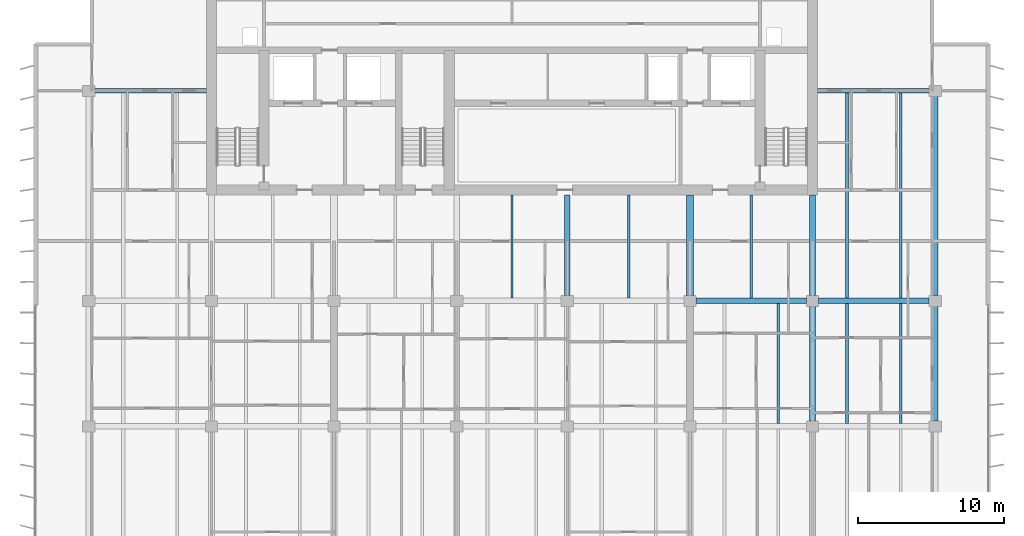
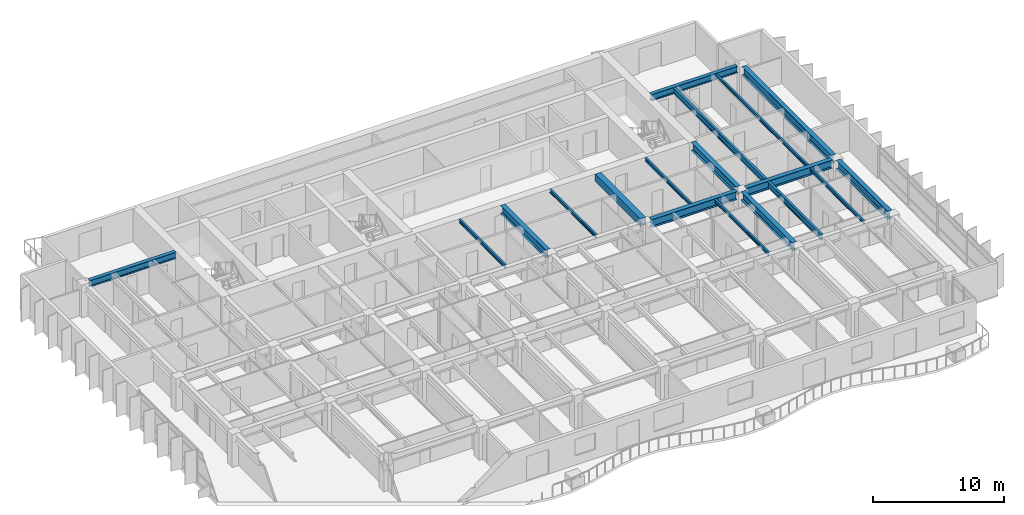
# One storey, part 5 of 19: 18 beams.
"""IFC4 building model written with IfcOpenShell, lengths in metres."""

from ifc_helpers import new_model, si_unit, direction, frame, origin, origin_2d, place, context, subcontext, project, spatial, rectangle, i_section, extrude, material, material_profile, profile_set, type_object, element, save


model = new_model("IFC4")

# Units and contexts
model_context = context("Model", 3, precision=1e-05, world=origin(), true_north=direction((0.0, 1.0)))
body_context = subcontext(model_context, "Body", "Model", "MODEL_VIEW")
ifc_project = project(units=[si_unit("LENGTHUNIT", "METRE"), si_unit("AREAUNIT", "SQUARE_METRE"), si_unit("VOLUMEUNIT", "CUBIC_METRE"), si_unit("PLANEANGLEUNIT", "RADIAN"), si_unit("MASSUNIT", "GRAM", prefix="KILO")], contexts=[model_context])

# Site, building, storey
site_placement = place(None, origin())
site = spatial("IfcSite", under=ifc_project, at=site_placement, CompositionType="ELEMENT")
building_placement = place(site_placement, origin())
building = spatial("IfcBuilding", under=site, at=building_placement, Name="Caelmar Bay Residences", CompositionType="ELEMENT")
storey_placement = place(building_placement, frame((0.0, 0.0, 195.0)))
storey = spatial("IfcBuildingStorey", under=building, at=storey_placement, Name="L54", CompositionType="ELEMENT", Elevation=195.0)

# Beams
ifc_material_1 = material(Name="Steel ASTM A992 Grade 50", Category="steel")
ifc_material_profile_1 = material_profile(ifc_material_1, i_section(OverallWidth=0.381103515625, OverallDepth=0.77197265625, WebThickness=0.0166015625, FlangeThickness=0.027099609375, FilletRadius=0.0166015625, at=origin_2d()), Name="W30X173")
ifc_profile_set_1 = profile_set([ifc_material_profile_1], Name="Steel ASTM A992 Grade 50")
beam_type_1 = type_object("IfcBeamType", Name="BM-GRD-W30X173", PredefinedType="BEAM", material=ifc_profile_set_1)
for number, where, z_axis, x_axis, name in (
    (1, (51.514892578125, 29.39990234375, 2.6640625), (1.0, 0.0, 0.0), (0.0, 1.0, 0.0), "L54 East-West Girder Y=29.40 (51.1-59.5)"),
    (2, (59.9150390625, 29.39990234375, 2.6640625), (1.0, 0.0, 0.0), (0.0, 1.0, 0.0), "L54 East-West Girder Y=29.40 (59.5-67.9)"),
):
    element("IfcBeam", number, at=place(storey_placement, frame(where, z_axis=z_axis, x_axis=x_axis)), inside=storey, type_object=beam_type_1, Name=name, PredefinedType="BEAM", context=body_context, shape_type="SweptSolid", body=[
        extrude(i_section(OverallWidth=0.381103515625, OverallDepth=0.77197265625, WebThickness=0.0166015625, FlangeThickness=0.027099609375, FilletRadius=0.0166015625, at=origin_2d()), origin(), (0.0, 0.0, 1.0), 7.570068359375),
    ])
for number, where, z_axis, x_axis, name in (
    (3, (42.699951171875, 29.764892578125, 2.6640625), (0.0, 1.0, 0.0), (-1.0, 0.0, 0.0), "L54 Core Tie Girder X=42.70"),
    (4, (59.5, 29.764892578125, 2.6640625), (0.0, 1.0, 0.0), (-1.0, 0.0, 0.0), "L54 Core Tie Girder X=59.50"),
):
    element("IfcBeam", number, at=place(storey_placement, frame(where, z_axis=z_axis, x_axis=x_axis)), inside=storey, type_object=beam_type_1, Name=name, PredefinedType="BEAM", context=body_context, shape_type="SweptSolid", body=[
        extrude(i_section(OverallWidth=0.381103515625, OverallDepth=0.77197265625, WebThickness=0.0166015625, FlangeThickness=0.027099609375, FilletRadius=0.0166015625, at=origin_2d()), origin(), (0.0, 0.0, 1.0), 6.885009765625),
    ])
for number, where, z_axis, x_axis, name in (
    (5, (59.5, 21.1650390625, 2.6640625), (0.0, 1.0, 0.0), (-1.0, 0.0, 0.0), "L54 North-South Girder X=59.50 (20.8-29.4)"),
    (6, (67.89990234375, 21.1650390625, 2.6640625), (0.0, 1.0, 0.0), (-1.0, 0.0, 0.0), "L54 North-South Girder X=67.90 (20.8-29.4)"),
):
    element("IfcBeam", number, at=place(storey_placement, frame(where, z_axis=z_axis, x_axis=x_axis)), inside=storey, type_object=beam_type_1, Name=name, PredefinedType="BEAM", context=body_context, shape_type="SweptSolid", body=[
        extrude(i_section(OverallWidth=0.381103515625, OverallDepth=0.77197265625, WebThickness=0.0166015625, FlangeThickness=0.027099609375, FilletRadius=0.0166015625, at=origin_2d()), origin(), (0.0, 0.0, 1.0), 7.869873046875),
    ])
beam_1_placement = place(storey_placement, frame((67.89990234375, 29.764892578125, 2.6640625), z_axis=(0.0, 1.0, 0.0), x_axis=(-1.0, 0.0, 0.0)))
element("IfcBeam", 7, at=beam_1_placement, inside=storey, type_object=beam_type_1, Name="L54 North-South Girder X=67.90 (29.4-43.8)", PredefinedType="BEAM", context=body_context, shape_type="SweptSolid", body=[
    extrude(i_section(OverallWidth=0.381103515625, OverallDepth=0.77197265625, WebThickness=0.0166015625, FlangeThickness=0.027099609375, FilletRadius=0.0166015625, at=origin_2d()), origin(), (0.0, 0.0, 1.0), 13.670166015625),
])
ifc_material_profile_2 = material_profile(ifc_material_1, i_section(OverallWidth=0.1650390625, OverallDepth=0.31005859375, WebThickness=0.005859375, FlangeThickness=0.009765625, FilletRadius=0.007568359375, at=origin_2d()), Name="W12X26")
ifc_profile_set_2 = profile_set([ifc_material_profile_2], Name="Steel ASTM A992 Grade 50")
beam_type_2 = type_object("IfcBeamType", Name="BM-JST-W12X26", PredefinedType="JOIST", material=ifc_profile_set_2)
for number, where, z_axis, x_axis, name in (
    (8, (57.14794921875, 20.990478515625, 2.89501953125), (0.0, 1.0, 0.0), (-1.0, 0.0, 0.0), "L54 Composite Floor Joist 26"),
    (9, (65.548095703125, 20.990478515625, 2.89501953125), (0.0, 1.0, 0.0), (-1.0, 0.0, 0.0), "L54 Composite Floor Joist 28"),
):
    element("IfcBeam", number, at=place(storey_placement, frame(where, z_axis=z_axis, x_axis=x_axis)), inside=storey, type_object=beam_type_2, Name=name, PredefinedType="JOIST", context=body_context, shape_type="SweptSolid", body=[
        extrude(i_section(OverallWidth=0.1650390625, OverallDepth=0.31005859375, WebThickness=0.005859375, FlangeThickness=0.009765625, FilletRadius=0.007568359375, at=origin_2d()), origin(), (0.0, 0.0, 1.0), 8.218994140625),
    ])
for number, where, z_axis, x_axis, name in (
    (10, (38.89990234375, 29.590576171875, 2.89501953125), (0.0, 1.0, 0.0), (-1.0, 0.0, 0.0), "L54 Core-Band Composite Joist 31"),
    (11, (46.89990234375, 29.590576171875, 2.89501953125), (0.0, 1.0, 0.0), (-1.0, 0.0, 0.0), "L54 Core-Band Composite Joist 32"),
    (12, (55.300048828125, 29.590576171875, 2.89501953125), (0.0, 1.0, 0.0), (-1.0, 0.0, 0.0), "L54 Core-Band Composite Joist 33"),
):
    element("IfcBeam", number, at=place(storey_placement, frame(where, z_axis=z_axis, x_axis=x_axis)), inside=storey, type_object=beam_type_2, Name=name, PredefinedType="JOIST", context=body_context, shape_type="SweptSolid", body=[
        extrude(i_section(OverallWidth=0.1650390625, OverallDepth=0.31005859375, WebThickness=0.005859375, FlangeThickness=0.009765625, FilletRadius=0.007568359375, at=origin_2d()), origin(), (0.0, 0.0, 1.0), 7.059326171875),
    ])
beam_2_placement = place(storey_placement, frame((65.548095703125, 29.590576171875, 2.89501953125), z_axis=(0.0, 1.0, 0.0), x_axis=(-1.0, 0.0, 0.0)))
element("IfcBeam", 13, at=beam_2_placement, inside=storey, type_object=beam_type_2, Name="L54 Composite Floor Joist 37", PredefinedType="JOIST", context=body_context, shape_type="SweptSolid", body=[
    extrude(i_section(OverallWidth=0.1650390625, OverallDepth=0.31005859375, WebThickness=0.005859375, FlangeThickness=0.009765625, FilletRadius=0.007568359375, at=origin_2d()), origin(), (0.0, 0.0, 1.0), 14.046875),
])
ifc_material_profile_3 = material_profile(ifc_material_1, i_section(OverallWidth=0.2099609375, OverallDepth=0.535888671875, WebThickness=0.010986328125, FlangeThickness=0.017333984375, FilletRadius=0.0126953125, at=origin_2d()), Name="W21X68")
ifc_profile_set_3 = profile_set([ifc_material_profile_3], Name="Steel ASTM A992 Grade 50")
beam_type_3 = type_object("IfcBeamType", Name="BM-JST-W21X68", PredefinedType="JOIST", material=ifc_profile_set_3)
beam_3_placement = place(storey_placement, frame((61.85205078125, 20.990478515625, 2.781982421875), z_axis=(0.0, 1.0, 0.0), x_axis=(-1.0, 0.0, 0.0)))
element("IfcBeam", 14, at=beam_3_placement, inside=storey, type_object=beam_type_3, Name="L54 Composite Floor Joist 27", PredefinedType="JOIST", context=body_context, shape_type="SweptSolid", body=[
    extrude(i_section(OverallWidth=0.2099609375, OverallDepth=0.535888671875, WebThickness=0.010986328125, FlangeThickness=0.017333984375, FilletRadius=0.0126953125, at=origin_2d()), origin(), (0.0, 0.0, 1.0), 8.218994140625),
])
beam_4_placement = place(storey_placement, frame((61.85205078125, 29.590576171875, 2.781982421875), z_axis=(0.0, 1.0, 0.0), x_axis=(-1.0, 0.0, 0.0)))
element("IfcBeam", 15, at=beam_4_placement, inside=storey, type_object=beam_type_3, Name="L54 Composite Floor Joist 36", PredefinedType="JOIST", context=body_context, shape_type="SweptSolid", body=[
    extrude(i_section(OverallWidth=0.2099609375, OverallDepth=0.535888671875, WebThickness=0.010986328125, FlangeThickness=0.017333984375, FilletRadius=0.0126953125, at=origin_2d()), origin(), (0.0, 0.0, 1.0), 14.046875),
])
ifc_material_2 = material(Name="Concrete f'c 55 MPa (8,000 psi)", Category="concrete")
ifc_material_profile_4 = material_profile(ifc_material_2, rectangle(XDim=0.5, YDim=0.699951171875, at=origin_2d()), Name="RC-BM-500X700")
ifc_profile_set_4 = profile_set([ifc_material_profile_4], Name="Concrete f'c 55 MPa (8,000 psi)")
beam_type_4 = type_object("IfcBeamType", Name="BM-RC-500X700", PredefinedType="LINTEL", material=ifc_profile_set_4)
beam_5_placement = place(storey_placement, frame((51.10009765625, 29.764892578125, 2.699951171875), z_axis=(0.0, 1.0, 0.0), x_axis=(-1.0, 0.0, 0.0)))
element("IfcBeam", 16, at=beam_5_placement, inside=storey, type_object=beam_type_4, Name="L54 Shear-Wall Corridor Coupling Lintel E8", PredefinedType="LINTEL", context=body_context, shape_type="SweptSolid", body=[
    extrude(rectangle(XDim=0.5, YDim=0.699951171875, at=origin_2d()), origin(), (0.0, 0.0, 1.0), 6.885009765625),
])
ifc_material_profile_5 = material_profile(ifc_material_1, i_section(OverallWidth=0.324951171875, OverallDepth=0.616943359375, WebThickness=0.013916015625, FlangeThickness=0.021484375, FilletRadius=0.0126953125, at=origin_2d()), Name="W24X117")
ifc_profile_set_5 = profile_set([ifc_material_profile_5], Name="Steel ASTM A992 Grade 50")
beam_type_5 = type_object("IfcBeamType", Name="BM-SPN-W24X117", PredefinedType="SPANDREL", material=ifc_profile_set_5)
for number, where, z_axis, x_axis, name in (
    (17, (10.31494140625, 43.800048828125, 2.741455078125), (1.0, 0.0, 0.0), (0.0, 1.0, 0.0), "L54 North-West Wing Core Tie Girder"),
    (18, (59.85009765625, 43.800048828125, 2.741455078125), (1.0, 0.0, 0.0), (0.0, 1.0, 0.0), "L54 North-East Wing Core Tie Girder"),
):
    element("IfcBeam", number, at=place(storey_placement, frame(where, z_axis=z_axis, x_axis=x_axis)), inside=storey, type_object=beam_type_5, Name=name, PredefinedType="SPANDREL", context=body_context, shape_type="SweptSolid", body=[
        extrude(i_section(OverallWidth=0.324951171875, OverallDepth=0.616943359375, WebThickness=0.013916015625, FlangeThickness=0.021484375, FilletRadius=0.0126953125, at=origin_2d()), origin(), (0.0, 0.0, 1.0), 7.635009765625),
    ])

save(model, "model.ifc")
